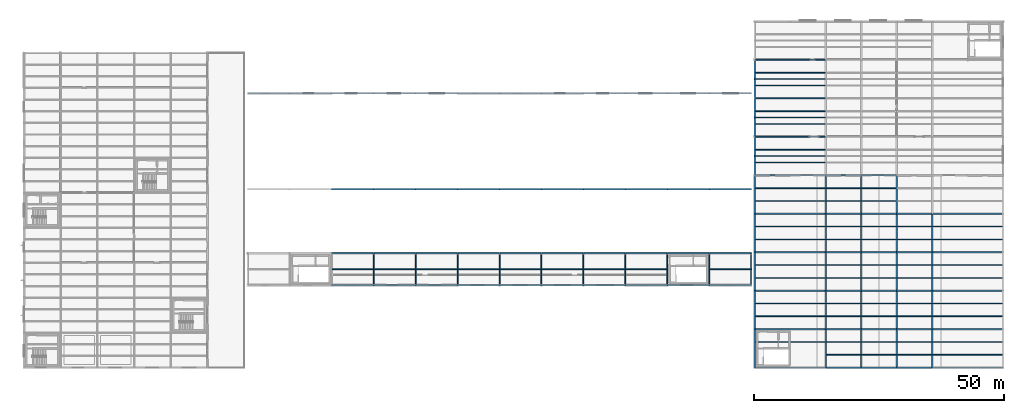
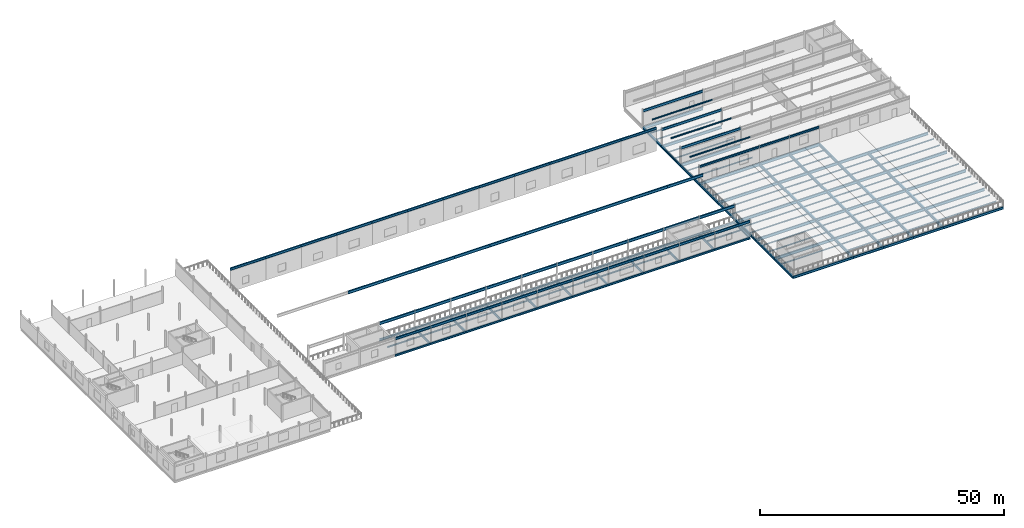
# One storey, part 25 of 39: 199 beams.
"""IFC4 building model written with IfcOpenShell, lengths in metres."""

from ifc_helpers import new_model, si_unit, direction, frame, origin, origin_2d, place, context, subcontext, project, spatial, i_section, extrude, material, material_profile, profile_set, type_object, element, save


model = new_model("IFC4")

# Units and contexts
model_context = context("Model", 3, precision=1e-05, world=origin(), true_north=direction((0.0, 1.0)))
body_context = subcontext(model_context, "Body", "Model", "MODEL_VIEW")
ifc_project = project(units=[si_unit("LENGTHUNIT", "METRE"), si_unit("AREAUNIT", "SQUARE_METRE"), si_unit("VOLUMEUNIT", "CUBIC_METRE"), si_unit("PLANEANGLEUNIT", "RADIAN"), si_unit("MASSUNIT", "GRAM", prefix="KILO")], contexts=[model_context])

# Site, building, storey
site_placement = place(None, origin())
site = spatial("IfcSite", under=ifc_project, at=site_placement, CompositionType="ELEMENT")
building_placement = place(site_placement, origin())
building = spatial("IfcBuilding", under=site, at=building_placement, Name="Kazenagashi Tramway Depot", CompositionType="ELEMENT")
storey_placement = place(building_placement, frame((0.0, 0.0, 11.1)))
storey = spatial("IfcBuildingStorey", under=building, at=storey_placement, Name="L03", CompositionType="ELEMENT", Elevation=11.1)

# Beams
ifc_material_1 = material(Name="Steel SN490B", Category="steel")
ifc_material_profile_1 = material_profile(ifc_material_1, i_section(OverallWidth=0.3, OverallDepth=0.7, WebThickness=0.013, FlangeThickness=0.024, at=origin_2d()), Name="H-700x300x13x24")
ifc_profile_set_1 = profile_set([ifc_material_profile_1], Name="Steel SN490B")
beam_type_1 = type_object("IfcBeamType", Name="G-02", PredefinedType="BEAM", material=ifc_profile_set_1)
beam_1_placement = place(storey_placement, frame((146.3, 7.7, -0.6), z_axis=(1.0, 0.0, 0.0), x_axis=(0.0, 1.0, 0.0)))
element("IfcBeam", 1, at=beam_1_placement, inside=storey, type_object=beam_type_1, Name="Beam G-02 BM-1359", PredefinedType="BEAM", context=body_context, shape_type="SweptSolid", body=[
    extrude(i_section(OverallWidth=0.3, OverallDepth=0.7, WebThickness=0.013, FlangeThickness=0.024, at=origin_2d()), origin(), (0.0, 0.0, 1.0), 14.2),
])
for number, where, z_axis, x_axis, name in (
    (2, (160.5, 7.7, -0.6), (1.0, 0.0, 0.0), (0.0, 1.0, 0.0), "Beam G-02 BM-1360"),
    (3, (167.6, 7.7, -0.6), (1.0, 0.0, 0.0), (0.0, 1.0, 0.0), "Beam G-02 BM-1361"),
    (4, (174.7, 7.7, -0.6), (1.0, 0.0, 0.0), (0.0, 1.0, 0.0), "Beam G-02 BM-1362"),
):
    element("IfcBeam", number, at=place(storey_placement, frame(where, z_axis=z_axis, x_axis=x_axis)), inside=storey, type_object=beam_type_1, Name=name, PredefinedType="BEAM", context=body_context, shape_type="SweptSolid", body=[
        extrude(i_section(OverallWidth=0.3, OverallDepth=0.7, WebThickness=0.013, FlangeThickness=0.024, at=origin_2d()), origin(), (0.0, 0.0, 1.0), 7.1),
    ])
for number, where, z_axis, x_axis, name in (
    (5, (181.8, 7.7, -0.6), (1.0, 0.0, 0.0), (0.0, 1.0, 0.0), "Beam G-02 BM-1363"),
    (6, (146.3, 15.4, -0.6), (1.0, 0.0, 0.0), (0.0, 1.0, 0.0), "Beam G-02 BM-1364"),
):
    element("IfcBeam", number, at=place(storey_placement, frame(where, z_axis=z_axis, x_axis=x_axis)), inside=storey, type_object=beam_type_1, Name=name, PredefinedType="BEAM", context=body_context, shape_type="SweptSolid", body=[
        extrude(i_section(OverallWidth=0.3, OverallDepth=0.7, WebThickness=0.013, FlangeThickness=0.024, at=origin_2d()), origin(), (0.0, 0.0, 1.0), 14.2),
    ])
for number, where, z_axis, x_axis, name in (
    (7, (160.5, 15.4, -0.6), (1.0, 0.0, 0.0), (0.0, 1.0, 0.0), "Beam G-02 BM-1365"),
    (8, (167.6, 15.4, -0.6), (1.0, 0.0, 0.0), (0.0, 1.0, 0.0), "Beam G-02 BM-1366"),
    (9, (174.7, 15.4, -0.6), (1.0, 0.0, 0.0), (0.0, 1.0, 0.0), "Beam G-02 BM-1367"),
):
    element("IfcBeam", number, at=place(storey_placement, frame(where, z_axis=z_axis, x_axis=x_axis)), inside=storey, type_object=beam_type_1, Name=name, PredefinedType="BEAM", context=body_context, shape_type="SweptSolid", body=[
        extrude(i_section(OverallWidth=0.3, OverallDepth=0.7, WebThickness=0.013, FlangeThickness=0.024, at=origin_2d()), origin(), (0.0, 0.0, 1.0), 7.1),
    ])
for number, where, z_axis, x_axis, name in (
    (10, (181.8, 15.4, -0.6), (1.0, 0.0, 0.0), (0.0, 1.0, 0.0), "Beam G-02 BM-1368"),
    (11, (146.3, 23.1, -0.6), (1.0, 0.0, 0.0), (0.0, 1.0, 0.0), "Beam G-02 BM-1369"),
):
    element("IfcBeam", number, at=place(storey_placement, frame(where, z_axis=z_axis, x_axis=x_axis)), inside=storey, type_object=beam_type_1, Name=name, PredefinedType="BEAM", context=body_context, shape_type="SweptSolid", body=[
        extrude(i_section(OverallWidth=0.3, OverallDepth=0.7, WebThickness=0.013, FlangeThickness=0.024, at=origin_2d()), origin(), (0.0, 0.0, 1.0), 14.2),
    ])
for number, where, z_axis, x_axis, name in (
    (12, (160.5, 23.1, -0.6), (1.0, 0.0, 0.0), (0.0, 1.0, 0.0), "Beam G-02 BM-1370"),
    (13, (167.6, 23.1, -0.6), (1.0, 0.0, 0.0), (0.0, 1.0, 0.0), "Beam G-02 BM-1371"),
    (14, (174.7, 23.1, -0.6), (1.0, 0.0, 0.0), (0.0, 1.0, 0.0), "Beam G-02 BM-1372"),
):
    element("IfcBeam", number, at=place(storey_placement, frame(where, z_axis=z_axis, x_axis=x_axis)), inside=storey, type_object=beam_type_1, Name=name, PredefinedType="BEAM", context=body_context, shape_type="SweptSolid", body=[
        extrude(i_section(OverallWidth=0.3, OverallDepth=0.7, WebThickness=0.013, FlangeThickness=0.024, at=origin_2d()), origin(), (0.0, 0.0, 1.0), 7.1),
    ])
for number, where, z_axis, x_axis, name in (
    (15, (181.8, 23.1, -0.6), (1.0, 0.0, 0.0), (0.0, 1.0, 0.0), "Beam G-02 BM-1373"),
    (16, (146.3, 30.8, -0.6), (1.0, 0.0, 0.0), (0.0, 1.0, 0.0), "Beam G-02 BM-1374"),
):
    element("IfcBeam", number, at=place(storey_placement, frame(where, z_axis=z_axis, x_axis=x_axis)), inside=storey, type_object=beam_type_1, Name=name, PredefinedType="BEAM", context=body_context, shape_type="SweptSolid", body=[
        extrude(i_section(OverallWidth=0.3, OverallDepth=0.7, WebThickness=0.013, FlangeThickness=0.024, at=origin_2d()), origin(), (0.0, 0.0, 1.0), 14.2),
    ])
for number, where, z_axis, x_axis, name in (
    (17, (160.5, 30.8, -0.6), (1.0, 0.0, 0.0), (0.0, 1.0, 0.0), "Beam G-02 BM-1375"),
    (18, (167.6, 30.8, -0.6), (1.0, 0.0, 0.0), (0.0, 1.0, 0.0), "Beam G-02 BM-1376"),
    (19, (174.7, 30.8, -0.6), (1.0, 0.0, 0.0), (0.0, 1.0, 0.0), "Beam G-02 BM-1377"),
):
    element("IfcBeam", number, at=place(storey_placement, frame(where, z_axis=z_axis, x_axis=x_axis)), inside=storey, type_object=beam_type_1, Name=name, PredefinedType="BEAM", context=body_context, shape_type="SweptSolid", body=[
        extrude(i_section(OverallWidth=0.3, OverallDepth=0.7, WebThickness=0.013, FlangeThickness=0.024, at=origin_2d()), origin(), (0.0, 0.0, 1.0), 7.1),
    ])
for number, where, z_axis, x_axis, name in (
    (20, (181.8, 30.8, -0.6), (1.0, 0.0, 0.0), (0.0, 1.0, 0.0), "Beam G-02 BM-1378"),
    (21, (146.3, 38.5, -0.6), (1.0, 0.0, 0.0), (0.0, 1.0, 0.0), "Beam G-02 BM-1379"),
):
    element("IfcBeam", number, at=place(storey_placement, frame(where, z_axis=z_axis, x_axis=x_axis)), inside=storey, type_object=beam_type_1, Name=name, PredefinedType="BEAM", context=body_context, shape_type="SweptSolid", body=[
        extrude(i_section(OverallWidth=0.3, OverallDepth=0.7, WebThickness=0.013, FlangeThickness=0.024, at=origin_2d()), origin(), (0.0, 0.0, 1.0), 14.2),
    ])
for number, where, z_axis, x_axis, name in (
    (22, (160.5, 38.5, -0.6), (1.0, 0.0, 0.0), (0.0, 1.0, 0.0), "Beam G-02 BM-1380"),
    (23, (167.6, 38.5, -0.6), (1.0, 0.0, 0.0), (0.0, 1.0, 0.0), "Beam G-02 BM-1381"),
):
    element("IfcBeam", number, at=place(storey_placement, frame(where, z_axis=z_axis, x_axis=x_axis)), inside=storey, type_object=beam_type_1, Name=name, PredefinedType="BEAM", context=body_context, shape_type="SweptSolid", body=[
        extrude(i_section(OverallWidth=0.3, OverallDepth=0.7, WebThickness=0.013, FlangeThickness=0.024, at=origin_2d()), origin(), (0.0, 0.0, 1.0), 7.1),
    ])
for number, where, z_axis, x_axis, name in (
    (24, (146.3, 46.2, -0.6), (1.0, 0.0, 0.0), (0.0, 1.0, 0.0), "Beam G-02 BM-1384"),
    (25, (146.3, 53.9, -0.6), (1.0, 0.0, 0.0), (0.0, 1.0, 0.0), "Beam G-02 BM-1389"),
    (26, (146.3, 61.6, -0.6), (1.0, 0.0, 0.0), (0.0, 1.0, 0.0), "Beam G-02 BM-1394"),
):
    element("IfcBeam", number, at=place(storey_placement, frame(where, z_axis=z_axis, x_axis=x_axis)), inside=storey, type_object=beam_type_1, Name=name, PredefinedType="BEAM", context=body_context, shape_type="SweptSolid", body=[
        extrude(i_section(OverallWidth=0.3, OverallDepth=0.7, WebThickness=0.013, FlangeThickness=0.024, at=origin_2d()), origin(), (0.0, 0.0, 1.0), 14.2),
    ])
for number, where, z_axis, x_axis, name in (
    (27, (160.5, 0.0, -0.6), (0.0, 1.0, 0.0), (-1.0, 0.0, 0.0), "Beam G-02 BM-1430"),
    (28, (160.5, 7.7, -0.6), (0.0, 1.0, 0.0), (-1.0, 0.0, 0.0), "Beam G-02 BM-1433"),
    (29, (160.5, 15.4, -0.6), (0.0, 1.0, 0.0), (-1.0, 0.0, 0.0), "Beam G-02 BM-1436"),
    (30, (160.5, 23.1, -0.6), (0.0, 1.0, 0.0), (-1.0, 0.0, 0.0), "Beam G-02 BM-1439"),
    (31, (160.5, 30.8, -0.6), (0.0, 1.0, 0.0), (-1.0, 0.0, 0.0), "Beam G-02 BM-1442"),
    (32, (167.6, 0.0, -0.6), (0.0, 1.0, 0.0), (-1.0, 0.0, 0.0), "Beam G-02 BM-1457"),
    (33, (167.6, 7.7, -0.6), (0.0, 1.0, 0.0), (-1.0, 0.0, 0.0), "Beam G-02 BM-1460"),
    (34, (167.6, 15.4, -0.6), (0.0, 1.0, 0.0), (-1.0, 0.0, 0.0), "Beam G-02 BM-1463"),
    (35, (167.6, 23.1, -0.6), (0.0, 1.0, 0.0), (-1.0, 0.0, 0.0), "Beam G-02 BM-1466"),
    (36, (167.6, 30.8, -0.6), (0.0, 1.0, 0.0), (-1.0, 0.0, 0.0), "Beam G-02 BM-1469"),
    (37, (174.7, 0.0, -0.6), (0.0, 1.0, 0.0), (-1.0, 0.0, 0.0), "Beam G-02 BM-1484"),
    (38, (174.7, 7.7, -0.6), (0.0, 1.0, 0.0), (-1.0, 0.0, 0.0), "Beam G-02 BM-1487"),
    (39, (174.7, 15.4, -0.6), (0.0, 1.0, 0.0), (-1.0, 0.0, 0.0), "Beam G-02 BM-1490"),
    (40, (174.7, 23.1, -0.6), (0.0, 1.0, 0.0), (-1.0, 0.0, 0.0), "Beam G-02 BM-1493"),
    (41, (174.7, 30.8, -0.6), (0.0, 1.0, 0.0), (-1.0, 0.0, 0.0), "Beam G-02 BM-1496"),
    (42, (181.8, 0.0, -0.6), (0.0, 1.0, 0.0), (-1.0, 0.0, 0.0), "Beam G-02 BM-1511"),
    (43, (181.8, 7.7, -0.6), (0.0, 1.0, 0.0), (-1.0, 0.0, 0.0), "Beam G-02 BM-1514"),
    (44, (181.8, 15.4, -0.6), (0.0, 1.0, 0.0), (-1.0, 0.0, 0.0), "Beam G-02 BM-1517"),
    (45, (181.8, 23.1, -0.6), (0.0, 1.0, 0.0), (-1.0, 0.0, 0.0), "Beam G-02 BM-1520"),
):
    element("IfcBeam", number, at=place(storey_placement, frame(where, z_axis=z_axis, x_axis=x_axis)), inside=storey, type_object=beam_type_1, Name=name, PredefinedType="BEAM", context=body_context, shape_type="SweptSolid", body=[
        extrude(i_section(OverallWidth=0.3, OverallDepth=0.7, WebThickness=0.013, FlangeThickness=0.024, at=origin_2d()), origin(), (0.0, 0.0, 1.0), 7.7),
    ])
ifc_material_profile_2 = material_profile(ifc_material_1, i_section(OverallWidth=0.2, OverallDepth=0.6, WebThickness=0.011, FlangeThickness=0.017, at=origin_2d()), Name="H-600x200x11x17")
ifc_profile_set_2 = profile_set([ifc_material_profile_2], Name="Steel SN490B")
beam_type_2 = type_object("IfcBeamType", Name="G-03", PredefinedType="BEAM", material=ifc_profile_set_2)
for number, where, z_axis, x_axis, name in (
    (46, (70.0, 16.5, -0.51), (0.0, 1.0, 0.0), (-1.0, 0.0, 0.0), "Beam G-03 BM-1131"),
    (47, (78.4, 16.5, -0.51), (0.0, 1.0, 0.0), (-1.0, 0.0, 0.0), "Beam G-03 BM-1133"),
    (48, (86.8, 16.5, -0.51), (0.0, 1.0, 0.0), (-1.0, 0.0, 0.0), "Beam G-03 BM-1135"),
    (49, (95.2, 16.5, -0.51), (0.0, 1.0, 0.0), (-1.0, 0.0, 0.0), "Beam G-03 BM-1137"),
    (50, (103.6, 16.5, -0.51), (0.0, 1.0, 0.0), (-1.0, 0.0, 0.0), "Beam G-03 BM-1139"),
    (51, (112.0, 16.5, -0.51), (0.0, 1.0, 0.0), (-1.0, 0.0, 0.0), "Beam G-03 BM-1141"),
    (52, (120.4, 16.5, -0.51), (0.0, 1.0, 0.0), (-1.0, 0.0, 0.0), "Beam G-03 BM-1143"),
    (53, (128.8, 16.5, -0.51), (0.0, 1.0, 0.0), (-1.0, 0.0, 0.0), "Beam G-03 BM-1145"),
    (54, (137.2, 16.5, -0.51), (0.0, 1.0, 0.0), (-1.0, 0.0, 0.0), "Beam G-03 BM-1146"),
):
    element("IfcBeam", number, at=place(storey_placement, frame(where, z_axis=z_axis, x_axis=x_axis)), inside=storey, type_object=beam_type_2, Name=name, PredefinedType="BEAM", context=body_context, shape_type="SweptSolid", body=[
        extrude(i_section(OverallWidth=0.2, OverallDepth=0.6, WebThickness=0.011, FlangeThickness=0.017, at=origin_2d()), origin(), (0.0, 0.0, 1.0), 6.4),
    ])
for number, where, z_axis, x_axis, name in (
    (55, (146.3, 46.2, 3.7), (1.0, 0.0, 0.0), (0.0, 1.0, 0.0), "Beam G-03 BM-1551"),
    (56, (146.3, 53.9, 3.7), (1.0, 0.0, 0.0), (0.0, 1.0, 0.0), "Beam G-03 BM-1556"),
    (57, (146.3, 61.6, 3.7), (1.0, 0.0, 0.0), (0.0, 1.0, 0.0), "Beam G-03 BM-1561"),
):
    element("IfcBeam", number, at=place(storey_placement, frame(where, z_axis=z_axis, x_axis=x_axis)), inside=storey, type_object=beam_type_2, Name=name, PredefinedType="BEAM", context=body_context, shape_type="SweptSolid", body=[
        extrude(i_section(OverallWidth=0.2, OverallDepth=0.6, WebThickness=0.011, FlangeThickness=0.017, at=origin_2d()), origin(), (0.0, 0.0, 1.0), 14.2),
    ])
ifc_material_profile_3 = material_profile(ifc_material_1, i_section(OverallWidth=0.3, OverallDepth=0.692, WebThickness=0.013, FlangeThickness=0.02, at=origin_2d()), Name="H-692x300x13x20")
ifc_profile_set_3 = profile_set([ifc_material_profile_3], Name="Steel SN490B")
beam_type_3 = type_object("IfcBeamType", Name="G-08", PredefinedType="BEAM", material=ifc_profile_set_3)
for number, where, z_axis, x_axis, name in (
    (58, (61.6, 22.9, 3.654), (1.0, 0.0, 0.0), (0.0, 1.0, 0.0), "Beam G-08 BM-0960"),
    (59, (70.0, 22.9, 3.654), (1.0, 0.0, 0.0), (0.0, 1.0, 0.0), "Beam G-08 BM-0961"),
    (60, (78.4, 22.9, 3.654), (1.0, 0.0, 0.0), (0.0, 1.0, 0.0), "Beam G-08 BM-0962"),
    (61, (86.8, 22.9, 3.654), (1.0, 0.0, 0.0), (0.0, 1.0, 0.0), "Beam G-08 BM-0963"),
    (62, (95.2, 22.9, 3.654), (1.0, 0.0, 0.0), (0.0, 1.0, 0.0), "Beam G-08 BM-0964"),
    (63, (103.6, 22.9, 3.654), (1.0, 0.0, 0.0), (0.0, 1.0, 0.0), "Beam G-08 BM-0965"),
    (64, (112.0, 22.9, 3.654), (1.0, 0.0, 0.0), (0.0, 1.0, 0.0), "Beam G-08 BM-0966"),
    (65, (120.4, 22.9, 3.654), (1.0, 0.0, 0.0), (0.0, 1.0, 0.0), "Beam G-08 BM-0967"),
    (66, (128.8, 22.9, 3.654), (1.0, 0.0, 0.0), (0.0, 1.0, 0.0), "Beam G-08 BM-0968"),
    (67, (137.2, 22.9, 3.654), (1.0, 0.0, 0.0), (0.0, 1.0, 0.0), "Beam G-08 BM-0969"),
    (68, (61.6, 35.7, 3.654), (1.0, 0.0, 0.0), (0.0, 1.0, 0.0), "Beam G-08 BM-0972"),
    (69, (70.0, 35.7, 3.654), (1.0, 0.0, 0.0), (0.0, 1.0, 0.0), "Beam G-08 BM-0973"),
    (70, (78.4, 35.7, 3.654), (1.0, 0.0, 0.0), (0.0, 1.0, 0.0), "Beam G-08 BM-0974"),
    (71, (86.8, 35.7, 3.654), (1.0, 0.0, 0.0), (0.0, 1.0, 0.0), "Beam G-08 BM-0975"),
    (72, (95.2, 35.7, 3.654), (1.0, 0.0, 0.0), (0.0, 1.0, 0.0), "Beam G-08 BM-0976"),
    (73, (103.6, 35.7, 3.654), (1.0, 0.0, 0.0), (0.0, 1.0, 0.0), "Beam G-08 BM-0977"),
    (74, (112.0, 35.7, 3.654), (1.0, 0.0, 0.0), (0.0, 1.0, 0.0), "Beam G-08 BM-0978"),
    (75, (120.4, 35.7, 3.654), (1.0, 0.0, 0.0), (0.0, 1.0, 0.0), "Beam G-08 BM-0979"),
    (76, (128.8, 35.7, 3.654), (1.0, 0.0, 0.0), (0.0, 1.0, 0.0), "Beam G-08 BM-0980"),
    (77, (137.2, 35.7, 3.654), (1.0, 0.0, 0.0), (0.0, 1.0, 0.0), "Beam G-08 BM-0981"),
):
    element("IfcBeam", number, at=place(storey_placement, frame(where, z_axis=z_axis, x_axis=x_axis)), inside=storey, type_object=beam_type_3, Name=name, PredefinedType="BEAM", context=body_context, shape_type="SweptSolid", body=[
        extrude(i_section(OverallWidth=0.3, OverallDepth=0.692, WebThickness=0.013, FlangeThickness=0.02, at=origin_2d()), origin(), (0.0, 0.0, 1.0), 8.4),
    ])
ifc_material_2 = material(Name="Steel SN400B", Category="steel")
ifc_material_profile_4 = material_profile(ifc_material_2, i_section(OverallWidth=0.15, OverallDepth=0.3, WebThickness=0.0065, FlangeThickness=0.009, at=origin_2d()), Name="H-300x150x6.5x9")
ifc_profile_set_4 = profile_set([ifc_material_profile_4], Name="Steel SN400B")
beam_type_4 = type_object("IfcBeamType", Name="J-02", PredefinedType="JOIST", material=ifc_profile_set_4)
for number, where, z_axis, x_axis, name in (
    (78, (146.45, 5.133, -0.4), (1.0, 0.0, 0.0), (0.0, 1.0, 0.0), "Beam J-02 BM-1405"),
    (79, (146.45, 10.267, -0.4), (1.0, 0.0, 0.0), (0.0, 1.0, 0.0), "Beam J-02 BM-1407"),
    (80, (146.45, 12.833, -0.4), (1.0, 0.0, 0.0), (0.0, 1.0, 0.0), "Beam J-02 BM-1408"),
    (81, (146.45, 17.967, -0.4), (1.0, 0.0, 0.0), (0.0, 1.0, 0.0), "Beam J-02 BM-1410"),
    (82, (146.45, 20.533, -0.4), (1.0, 0.0, 0.0), (0.0, 1.0, 0.0), "Beam J-02 BM-1411"),
    (83, (146.45, 25.667, -0.4), (1.0, 0.0, 0.0), (0.0, 1.0, 0.0), "Beam J-02 BM-1413"),
    (84, (146.45, 28.233, -0.4), (1.0, 0.0, 0.0), (0.0, 1.0, 0.0), "Beam J-02 BM-1414"),
    (85, (146.45, 33.367, -0.4), (1.0, 0.0, 0.0), (0.0, 1.0, 0.0), "Beam J-02 BM-1416"),
    (86, (146.45, 35.933, -0.4), (1.0, 0.0, 0.0), (0.0, 1.0, 0.0), "Beam J-02 BM-1417"),
    (87, (146.45, 41.067, -0.4), (1.0, 0.0, 0.0), (0.0, 1.0, 0.0), "Beam J-02 BM-1419"),
    (88, (146.45, 43.633, -0.4), (1.0, 0.0, 0.0), (0.0, 1.0, 0.0), "Beam J-02 BM-1420"),
    (89, (146.45, 48.767, -0.4), (1.0, 0.0, 0.0), (0.0, 1.0, 0.0), "Beam J-02 BM-1422"),
    (90, (146.45, 51.333, -0.4), (1.0, 0.0, 0.0), (0.0, 1.0, 0.0), "Beam J-02 BM-1423"),
    (91, (146.45, 56.467, -0.4), (1.0, 0.0, 0.0), (0.0, 1.0, 0.0), "Beam J-02 BM-1425"),
    (92, (146.45, 59.033, -0.4), (1.0, 0.0, 0.0), (0.0, 1.0, 0.0), "Beam J-02 BM-1426"),
):
    element("IfcBeam", number, at=place(storey_placement, frame(where, z_axis=z_axis, x_axis=x_axis)), inside=storey, type_object=beam_type_4, Name=name, PredefinedType="JOIST", context=body_context, shape_type="SweptSolid", body=[
        extrude(i_section(OverallWidth=0.15, OverallDepth=0.3, WebThickness=0.0065, FlangeThickness=0.009, at=origin_2d()), origin(), (0.0, 0.0, 1.0), 13.9),
    ])
for number, where, z_axis, x_axis, name in (
    (93, (160.65, 2.567, -0.4), (1.0, 0.0, 0.0), (0.0, 1.0, 0.0), "Beam J-02 BM-1431"),
    (94, (160.65, 5.133, -0.4), (1.0, 0.0, 0.0), (0.0, 1.0, 0.0), "Beam J-02 BM-1432"),
    (95, (160.65, 10.267, -0.4), (1.0, 0.0, 0.0), (0.0, 1.0, 0.0), "Beam J-02 BM-1434"),
    (96, (160.65, 12.833, -0.4), (1.0, 0.0, 0.0), (0.0, 1.0, 0.0), "Beam J-02 BM-1435"),
    (97, (160.65, 17.967, -0.4), (1.0, 0.0, 0.0), (0.0, 1.0, 0.0), "Beam J-02 BM-1437"),
    (98, (160.65, 20.533, -0.4), (1.0, 0.0, 0.0), (0.0, 1.0, 0.0), "Beam J-02 BM-1438"),
    (99, (160.65, 25.667, -0.4), (1.0, 0.0, 0.0), (0.0, 1.0, 0.0), "Beam J-02 BM-1440"),
    (100, (160.65, 28.233, -0.4), (1.0, 0.0, 0.0), (0.0, 1.0, 0.0), "Beam J-02 BM-1441"),
    (101, (160.65, 33.367, -0.4), (1.0, 0.0, 0.0), (0.0, 1.0, 0.0), "Beam J-02 BM-1443"),
    (102, (160.65, 35.933, -0.4), (1.0, 0.0, 0.0), (0.0, 1.0, 0.0), "Beam J-02 BM-1444"),
    (103, (167.75, 2.567, -0.4), (1.0, 0.0, 0.0), (0.0, 1.0, 0.0), "Beam J-02 BM-1458"),
    (104, (167.75, 5.133, -0.4), (1.0, 0.0, 0.0), (0.0, 1.0, 0.0), "Beam J-02 BM-1459"),
    (105, (167.75, 10.267, -0.4), (1.0, 0.0, 0.0), (0.0, 1.0, 0.0), "Beam J-02 BM-1461"),
    (106, (167.75, 12.833, -0.4), (1.0, 0.0, 0.0), (0.0, 1.0, 0.0), "Beam J-02 BM-1462"),
    (107, (167.75, 17.967, -0.4), (1.0, 0.0, 0.0), (0.0, 1.0, 0.0), "Beam J-02 BM-1464"),
    (108, (167.75, 20.533, -0.4), (1.0, 0.0, 0.0), (0.0, 1.0, 0.0), "Beam J-02 BM-1465"),
    (109, (167.75, 25.667, -0.4), (1.0, 0.0, 0.0), (0.0, 1.0, 0.0), "Beam J-02 BM-1467"),
    (110, (167.75, 28.233, -0.4), (1.0, 0.0, 0.0), (0.0, 1.0, 0.0), "Beam J-02 BM-1468"),
    (111, (167.75, 33.367, -0.4), (1.0, 0.0, 0.0), (0.0, 1.0, 0.0), "Beam J-02 BM-1470"),
    (112, (167.75, 35.933, -0.4), (1.0, 0.0, 0.0), (0.0, 1.0, 0.0), "Beam J-02 BM-1471"),
    (113, (174.85, 2.567, -0.4), (1.0, 0.0, 0.0), (0.0, 1.0, 0.0), "Beam J-02 BM-1485"),
    (114, (174.85, 5.133, -0.4), (1.0, 0.0, 0.0), (0.0, 1.0, 0.0), "Beam J-02 BM-1486"),
    (115, (174.85, 10.267, -0.4), (1.0, 0.0, 0.0), (0.0, 1.0, 0.0), "Beam J-02 BM-1488"),
    (116, (174.85, 12.833, -0.4), (1.0, 0.0, 0.0), (0.0, 1.0, 0.0), "Beam J-02 BM-1489"),
    (117, (174.85, 17.967, -0.4), (1.0, 0.0, 0.0), (0.0, 1.0, 0.0), "Beam J-02 BM-1491"),
    (118, (174.85, 20.533, -0.4), (1.0, 0.0, 0.0), (0.0, 1.0, 0.0), "Beam J-02 BM-1492"),
    (119, (174.85, 25.667, -0.4), (1.0, 0.0, 0.0), (0.0, 1.0, 0.0), "Beam J-02 BM-1494"),
    (120, (174.85, 28.233, -0.4), (1.0, 0.0, 0.0), (0.0, 1.0, 0.0), "Beam J-02 BM-1495"),
):
    element("IfcBeam", number, at=place(storey_placement, frame(where, z_axis=z_axis, x_axis=x_axis)), inside=storey, type_object=beam_type_4, Name=name, PredefinedType="JOIST", context=body_context, shape_type="SweptSolid", body=[
        extrude(i_section(OverallWidth=0.15, OverallDepth=0.3, WebThickness=0.0065, FlangeThickness=0.009, at=origin_2d()), origin(), (0.0, 0.0, 1.0), 6.8),
    ])
for number, where, z_axis, x_axis, name in (
    (121, (181.95, 2.567, -0.4), (1.0, 0.0, 0.0), (0.0, 1.0, 0.0), "Beam J-02 BM-1512"),
    (122, (181.95, 5.133, -0.4), (1.0, 0.0, 0.0), (0.0, 1.0, 0.0), "Beam J-02 BM-1513"),
    (123, (181.95, 10.267, -0.4), (1.0, 0.0, 0.0), (0.0, 1.0, 0.0), "Beam J-02 BM-1515"),
    (124, (181.95, 12.833, -0.4), (1.0, 0.0, 0.0), (0.0, 1.0, 0.0), "Beam J-02 BM-1516"),
    (125, (181.95, 17.967, -0.4), (1.0, 0.0, 0.0), (0.0, 1.0, 0.0), "Beam J-02 BM-1518"),
    (126, (181.95, 20.533, -0.4), (1.0, 0.0, 0.0), (0.0, 1.0, 0.0), "Beam J-02 BM-1519"),
    (127, (181.95, 25.667, -0.4), (1.0, 0.0, 0.0), (0.0, 1.0, 0.0), "Beam J-02 BM-1521"),
    (128, (181.95, 28.233, -0.4), (1.0, 0.0, 0.0), (0.0, 1.0, 0.0), "Beam J-02 BM-1522"),
):
    element("IfcBeam", number, at=place(storey_placement, frame(where, z_axis=z_axis, x_axis=x_axis)), inside=storey, type_object=beam_type_4, Name=name, PredefinedType="JOIST", context=body_context, shape_type="SweptSolid", body=[
        extrude(i_section(OverallWidth=0.15, OverallDepth=0.3, WebThickness=0.0065, FlangeThickness=0.009, at=origin_2d()), origin(), (0.0, 0.0, 1.0), 13.9),
    ])
ifc_material_profile_5 = material_profile(ifc_material_2, i_section(OverallWidth=0.125, OverallDepth=0.25, WebThickness=0.006, FlangeThickness=0.009, at=origin_2d()), Name="H-250x125x6x9")
ifc_profile_set_5 = profile_set([ifc_material_profile_5], Name="Steel SN400B")
beam_type_5 = type_object("IfcBeamType", Name="J-03", PredefinedType="JOIST", material=ifc_profile_set_5)
for number, where, z_axis, x_axis, name in (
    (129, (61.7, 19.7, -0.335), (1.0, 0.0, 0.0), (0.0, 1.0, 0.0), "Beam J-03 BM-1130"),
    (130, (70.1, 19.7, -0.335), (1.0, 0.0, 0.0), (0.0, 1.0, 0.0), "Beam J-03 BM-1132"),
    (131, (78.5, 19.7, -0.335), (1.0, 0.0, 0.0), (0.0, 1.0, 0.0), "Beam J-03 BM-1134"),
    (132, (86.9, 19.7, -0.335), (1.0, 0.0, 0.0), (0.0, 1.0, 0.0), "Beam J-03 BM-1136"),
    (133, (95.3, 19.7, -0.335), (1.0, 0.0, 0.0), (0.0, 1.0, 0.0), "Beam J-03 BM-1138"),
    (134, (103.7, 19.7, -0.335), (1.0, 0.0, 0.0), (0.0, 1.0, 0.0), "Beam J-03 BM-1140"),
    (135, (112.1, 19.7, -0.335), (1.0, 0.0, 0.0), (0.0, 1.0, 0.0), "Beam J-03 BM-1142"),
    (136, (120.5, 19.7, -0.335), (1.0, 0.0, 0.0), (0.0, 1.0, 0.0), "Beam J-03 BM-1144"),
):
    element("IfcBeam", number, at=place(storey_placement, frame(where, z_axis=z_axis, x_axis=x_axis)), inside=storey, type_object=beam_type_5, Name=name, PredefinedType="JOIST", context=body_context, shape_type="SweptSolid", body=[
        extrude(i_section(OverallWidth=0.125, OverallDepth=0.25, WebThickness=0.006, FlangeThickness=0.009, at=origin_2d()), origin(), (0.0, 0.0, 1.0), 8.2),
    ])
beam_2_placement = place(storey_placement, frame((137.3, 19.7, -0.335), z_axis=(1.0, 0.0, 0.0), x_axis=(0.0, 1.0, 0.0)))
element("IfcBeam", 137, at=beam_2_placement, inside=storey, type_object=beam_type_5, Name="Beam J-03 BM-1147", PredefinedType="JOIST", context=body_context, shape_type="SweptSolid", body=[
    extrude(i_section(OverallWidth=0.125, OverallDepth=0.25, WebThickness=0.006, FlangeThickness=0.009, at=origin_2d()), origin(), (0.0, 0.0, 1.0), 8.15),
])
for number, where, z_axis, x_axis, name in (
    (138, (146.3, 42.35, 3.875), (1.0, 0.0, 0.0), (0.0, 1.0, 0.0), "Beam J-03 BM-1571"),
    (139, (146.3, 50.05, 3.875), (1.0, 0.0, 0.0), (0.0, 1.0, 0.0), "Beam J-03 BM-1572"),
    (140, (146.3, 57.75, 3.875), (1.0, 0.0, 0.0), (0.0, 1.0, 0.0), "Beam J-03 BM-1573"),
):
    element("IfcBeam", number, at=place(storey_placement, frame(where, z_axis=z_axis, x_axis=x_axis)), inside=storey, type_object=beam_type_5, Name=name, PredefinedType="JOIST", context=body_context, shape_type="SweptSolid", body=[
        extrude(i_section(OverallWidth=0.125, OverallDepth=0.25, WebThickness=0.006, FlangeThickness=0.009, at=origin_2d()), origin(), (0.0, 0.0, 1.0), 14.2),
    ])
ifc_material_profile_6 = material_profile(ifc_material_1, i_section(OverallWidth=0.3, OverallDepth=0.588, WebThickness=0.012, FlangeThickness=0.02, at=origin_2d()), Name="H-588x300x12x20")
ifc_profile_set_6 = profile_set([ifc_material_profile_6], Name="Steel SN490B")
beam_type_6 = type_object("IfcBeamType", Name="SP-01", PredefinedType="SPANDREL", material=ifc_profile_set_6)
for number, where, z_axis, x_axis, name in (
    (141, (61.6, 16.5, 3.706), (1.0, 0.0, 0.0), (0.0, 1.0, 0.0), "Beam SP-01 BM-0948"),
    (142, (70.0, 16.5, 3.706), (1.0, 0.0, 0.0), (0.0, 1.0, 0.0), "Beam SP-01 BM-0949"),
    (143, (78.4, 16.5, 3.706), (1.0, 0.0, 0.0), (0.0, 1.0, 0.0), "Beam SP-01 BM-0950"),
    (144, (86.8, 16.5, 3.706), (1.0, 0.0, 0.0), (0.0, 1.0, 0.0), "Beam SP-01 BM-0951"),
    (145, (95.2, 16.5, 3.706), (1.0, 0.0, 0.0), (0.0, 1.0, 0.0), "Beam SP-01 BM-0952"),
    (146, (103.6, 16.5, 3.706), (1.0, 0.0, 0.0), (0.0, 1.0, 0.0), "Beam SP-01 BM-0953"),
    (147, (112.0, 16.5, 3.706), (1.0, 0.0, 0.0), (0.0, 1.0, 0.0), "Beam SP-01 BM-0954"),
    (148, (120.4, 16.5, 3.706), (1.0, 0.0, 0.0), (0.0, 1.0, 0.0), "Beam SP-01 BM-0955"),
    (149, (128.8, 16.5, 3.706), (1.0, 0.0, 0.0), (0.0, 1.0, 0.0), "Beam SP-01 BM-0956"),
    (150, (137.2, 16.5, 3.706), (1.0, 0.0, 0.0), (0.0, 1.0, 0.0), "Beam SP-01 BM-0957"),
    (151, (44.8, 54.9, 3.706), (1.0, 0.0, 0.0), (0.0, 1.0, 0.0), "Beam SP-01 BM-0982"),
    (152, (53.2, 54.9, 3.706), (1.0, 0.0, 0.0), (0.0, 1.0, 0.0), "Beam SP-01 BM-0983"),
    (153, (61.6, 54.9, 3.706), (1.0, 0.0, 0.0), (0.0, 1.0, 0.0), "Beam SP-01 BM-0984"),
    (154, (70.0, 54.9, 3.706), (1.0, 0.0, 0.0), (0.0, 1.0, 0.0), "Beam SP-01 BM-0985"),
    (155, (78.4, 54.9, 3.706), (1.0, 0.0, 0.0), (0.0, 1.0, 0.0), "Beam SP-01 BM-0986"),
    (156, (86.8, 54.9, 3.706), (1.0, 0.0, 0.0), (0.0, 1.0, 0.0), "Beam SP-01 BM-0987"),
    (157, (95.2, 54.9, 3.706), (1.0, 0.0, 0.0), (0.0, 1.0, 0.0), "Beam SP-01 BM-0988"),
    (158, (103.6, 54.9, 3.706), (1.0, 0.0, 0.0), (0.0, 1.0, 0.0), "Beam SP-01 BM-0989"),
    (159, (112.0, 54.9, 3.706), (1.0, 0.0, 0.0), (0.0, 1.0, 0.0), "Beam SP-01 BM-0990"),
    (160, (120.4, 54.9, 3.706), (1.0, 0.0, 0.0), (0.0, 1.0, 0.0), "Beam SP-01 BM-0991"),
    (161, (128.8, 54.9, 3.706), (1.0, 0.0, 0.0), (0.0, 1.0, 0.0), "Beam SP-01 BM-0992"),
    (162, (137.2, 54.9, 3.706), (1.0, 0.0, 0.0), (0.0, 1.0, 0.0), "Beam SP-01 BM-0993"),
):
    element("IfcBeam", number, at=place(storey_placement, frame(where, z_axis=z_axis, x_axis=x_axis)), inside=storey, type_object=beam_type_6, Name=name, PredefinedType="SPANDREL", context=body_context, shape_type="SweptSolid", body=[
        extrude(i_section(OverallWidth=0.3, OverallDepth=0.588, WebThickness=0.012, FlangeThickness=0.02, at=origin_2d()), origin(), (0.0, 0.0, 1.0), 8.4),
    ])
beam_3_placement = place(storey_placement, frame((146.3, 0.0, -0.544), z_axis=(1.0, 0.0, 0.0), x_axis=(0.0, 1.0, 0.0)))
element("IfcBeam", 163, at=beam_3_placement, inside=storey, type_object=beam_type_6, Name="Beam SP-01 BM-1354", PredefinedType="SPANDREL", context=body_context, shape_type="SweptSolid", body=[
    extrude(i_section(OverallWidth=0.3, OverallDepth=0.588, WebThickness=0.012, FlangeThickness=0.02, at=origin_2d()), origin(), (0.0, 0.0, 1.0), 14.2),
])
for number, where, z_axis, x_axis, name in (
    (164, (160.5, 0.0, -0.544), (1.0, 0.0, 0.0), (0.0, 1.0, 0.0), "Beam SP-01 BM-1355"),
    (165, (167.6, 0.0, -0.544), (1.0, 0.0, 0.0), (0.0, 1.0, 0.0), "Beam SP-01 BM-1356"),
    (166, (174.7, 0.0, -0.544), (1.0, 0.0, 0.0), (0.0, 1.0, 0.0), "Beam SP-01 BM-1357"),
):
    element("IfcBeam", number, at=place(storey_placement, frame(where, z_axis=z_axis, x_axis=x_axis)), inside=storey, type_object=beam_type_6, Name=name, PredefinedType="SPANDREL", context=body_context, shape_type="SweptSolid", body=[
        extrude(i_section(OverallWidth=0.3, OverallDepth=0.588, WebThickness=0.012, FlangeThickness=0.02, at=origin_2d()), origin(), (0.0, 0.0, 1.0), 7.1),
    ])
beam_4_placement = place(storey_placement, frame((181.8, 0.0, -0.544), z_axis=(1.0, 0.0, 0.0), x_axis=(0.0, 1.0, 0.0)))
element("IfcBeam", 167, at=beam_4_placement, inside=storey, type_object=beam_type_6, Name="Beam SP-01 BM-1358", PredefinedType="SPANDREL", context=body_context, shape_type="SweptSolid", body=[
    extrude(i_section(OverallWidth=0.3, OverallDepth=0.588, WebThickness=0.012, FlangeThickness=0.02, at=origin_2d()), origin(), (0.0, 0.0, 1.0), 14.2),
])
for number, where, z_axis, x_axis, name in (
    (168, (146.3, 0.0, -0.544), (0.0, 1.0, 0.0), (-1.0, 0.0, 0.0), "Beam SP-01 BM-1404"),
    (169, (146.3, 7.7, -0.544), (0.0, 1.0, 0.0), (-1.0, 0.0, 0.0), "Beam SP-01 BM-1406"),
    (170, (146.3, 15.4, -0.544), (0.0, 1.0, 0.0), (-1.0, 0.0, 0.0), "Beam SP-01 BM-1409"),
    (171, (146.3, 23.1, -0.544), (0.0, 1.0, 0.0), (-1.0, 0.0, 0.0), "Beam SP-01 BM-1412"),
    (172, (146.3, 30.8, -0.544), (0.0, 1.0, 0.0), (-1.0, 0.0, 0.0), "Beam SP-01 BM-1415"),
    (173, (146.3, 38.5, -0.544), (0.0, 1.0, 0.0), (-1.0, 0.0, 0.0), "Beam SP-01 BM-1418"),
    (174, (146.3, 46.2, -0.544), (0.0, 1.0, 0.0), (-1.0, 0.0, 0.0), "Beam SP-01 BM-1421"),
    (175, (146.3, 53.9, -0.544), (0.0, 1.0, 0.0), (-1.0, 0.0, 0.0), "Beam SP-01 BM-1424"),
):
    element("IfcBeam", number, at=place(storey_placement, frame(where, z_axis=z_axis, x_axis=x_axis)), inside=storey, type_object=beam_type_6, Name=name, PredefinedType="SPANDREL", context=body_context, shape_type="SweptSolid", body=[
        extrude(i_section(OverallWidth=0.3, OverallDepth=0.588, WebThickness=0.012, FlangeThickness=0.02, at=origin_2d()), origin(), (0.0, 0.0, 1.0), 7.7),
    ])
ifc_material_profile_7 = material_profile(ifc_material_1, i_section(OverallWidth=0.3, OverallDepth=0.488, WebThickness=0.011, FlangeThickness=0.018, at=origin_2d()), Name="H-488x300x11x18")
ifc_profile_set_7 = profile_set([ifc_material_profile_7], Name="Steel SN490B")
beam_type_7 = type_object("IfcBeamType", Name="SP-02", PredefinedType="SPANDREL", material=ifc_profile_set_7)
for number, where, z_axis, x_axis, name in (
    (176, (61.6, 16.5, -0.454), (1.0, 0.0, 0.0), (0.0, 1.0, 0.0), "Beam SP-02 BM-1104"),
    (177, (70.0, 16.5, -0.454), (1.0, 0.0, 0.0), (0.0, 1.0, 0.0), "Beam SP-02 BM-1105"),
    (178, (78.4, 16.5, -0.454), (1.0, 0.0, 0.0), (0.0, 1.0, 0.0), "Beam SP-02 BM-1106"),
    (179, (86.8, 16.5, -0.454), (1.0, 0.0, 0.0), (0.0, 1.0, 0.0), "Beam SP-02 BM-1107"),
    (180, (95.2, 16.5, -0.454), (1.0, 0.0, 0.0), (0.0, 1.0, 0.0), "Beam SP-02 BM-1108"),
    (181, (103.6, 16.5, -0.454), (1.0, 0.0, 0.0), (0.0, 1.0, 0.0), "Beam SP-02 BM-1109"),
    (182, (112.0, 16.5, -0.454), (1.0, 0.0, 0.0), (0.0, 1.0, 0.0), "Beam SP-02 BM-1110"),
    (183, (120.4, 16.5, -0.454), (1.0, 0.0, 0.0), (0.0, 1.0, 0.0), "Beam SP-02 BM-1111"),
    (184, (128.8, 16.5, -0.454), (1.0, 0.0, 0.0), (0.0, 1.0, 0.0), "Beam SP-02 BM-1112"),
    (185, (137.2, 16.5, -0.454), (1.0, 0.0, 0.0), (0.0, 1.0, 0.0), "Beam SP-02 BM-1113"),
    (186, (61.6, 22.9, -0.454), (1.0, 0.0, 0.0), (0.0, 1.0, 0.0), "Beam SP-02 BM-1116"),
    (187, (70.0, 22.9, -0.454), (1.0, 0.0, 0.0), (0.0, 1.0, 0.0), "Beam SP-02 BM-1117"),
    (188, (78.4, 22.9, -0.454), (1.0, 0.0, 0.0), (0.0, 1.0, 0.0), "Beam SP-02 BM-1118"),
    (189, (86.8, 22.9, -0.454), (1.0, 0.0, 0.0), (0.0, 1.0, 0.0), "Beam SP-02 BM-1119"),
    (190, (95.2, 22.9, -0.454), (1.0, 0.0, 0.0), (0.0, 1.0, 0.0), "Beam SP-02 BM-1120"),
    (191, (103.6, 22.9, -0.454), (1.0, 0.0, 0.0), (0.0, 1.0, 0.0), "Beam SP-02 BM-1121"),
    (192, (112.0, 22.9, -0.454), (1.0, 0.0, 0.0), (0.0, 1.0, 0.0), "Beam SP-02 BM-1122"),
    (193, (120.4, 22.9, -0.454), (1.0, 0.0, 0.0), (0.0, 1.0, 0.0), "Beam SP-02 BM-1123"),
    (194, (128.8, 22.9, -0.454), (1.0, 0.0, 0.0), (0.0, 1.0, 0.0), "Beam SP-02 BM-1124"),
    (195, (137.2, 22.9, -0.454), (1.0, 0.0, 0.0), (0.0, 1.0, 0.0), "Beam SP-02 BM-1125"),
):
    element("IfcBeam", number, at=place(storey_placement, frame(where, z_axis=z_axis, x_axis=x_axis)), inside=storey, type_object=beam_type_7, Name=name, PredefinedType="SPANDREL", context=body_context, shape_type="SweptSolid", body=[
        extrude(i_section(OverallWidth=0.3, OverallDepth=0.488, WebThickness=0.011, FlangeThickness=0.018, at=origin_2d()), origin(), (0.0, 0.0, 1.0), 8.4),
    ])
beam_5_placement = place(storey_placement, frame((145.6, 16.5, -0.454), z_axis=(0.0, 1.0, 0.0), x_axis=(-1.0, 0.0, 0.0)))
element("IfcBeam", 196, at=beam_5_placement, inside=storey, type_object=beam_type_7, Name="Beam SP-02 BM-1148", PredefinedType="SPANDREL", context=body_context, shape_type="SweptSolid", body=[
    extrude(i_section(OverallWidth=0.3, OverallDepth=0.488, WebThickness=0.011, FlangeThickness=0.018, at=origin_2d()), origin(), (0.0, 0.0, 1.0), 6.4),
])
beam_6_placement = place(storey_placement, frame((146.3, 38.5, 3.756), z_axis=(1.0, 0.0, 0.0), x_axis=(0.0, 1.0, 0.0)))
element("IfcBeam", 197, at=beam_6_placement, inside=storey, type_object=beam_type_7, Name="Beam SP-02 BM-1546", PredefinedType="SPANDREL", context=body_context, shape_type="SweptSolid", body=[
    extrude(i_section(OverallWidth=0.3, OverallDepth=0.488, WebThickness=0.011, FlangeThickness=0.018, at=origin_2d()), origin(), (0.0, 0.0, 1.0), 14.2),
])
for number, where, z_axis, x_axis, name in (
    (198, (160.5, 38.5, 3.756), (1.0, 0.0, 0.0), (0.0, 1.0, 0.0), "Beam SP-02 BM-1547"),
    (199, (167.6, 38.5, 3.756), (1.0, 0.0, 0.0), (0.0, 1.0, 0.0), "Beam SP-02 BM-1548"),
):
    element("IfcBeam", number, at=place(storey_placement, frame(where, z_axis=z_axis, x_axis=x_axis)), inside=storey, type_object=beam_type_7, Name=name, PredefinedType="SPANDREL", context=body_context, shape_type="SweptSolid", body=[
        extrude(i_section(OverallWidth=0.3, OverallDepth=0.488, WebThickness=0.011, FlangeThickness=0.018, at=origin_2d()), origin(), (0.0, 0.0, 1.0), 7.1),
    ])

save(model, "model.ifc")
